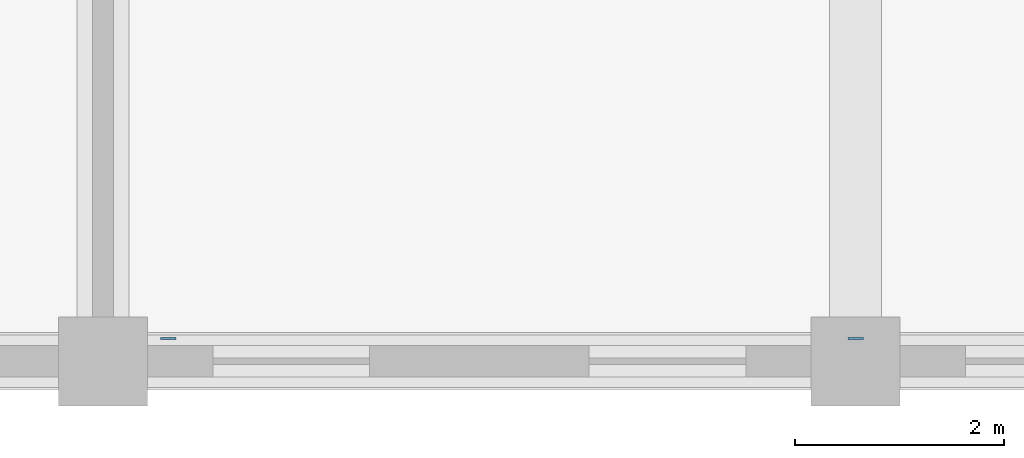
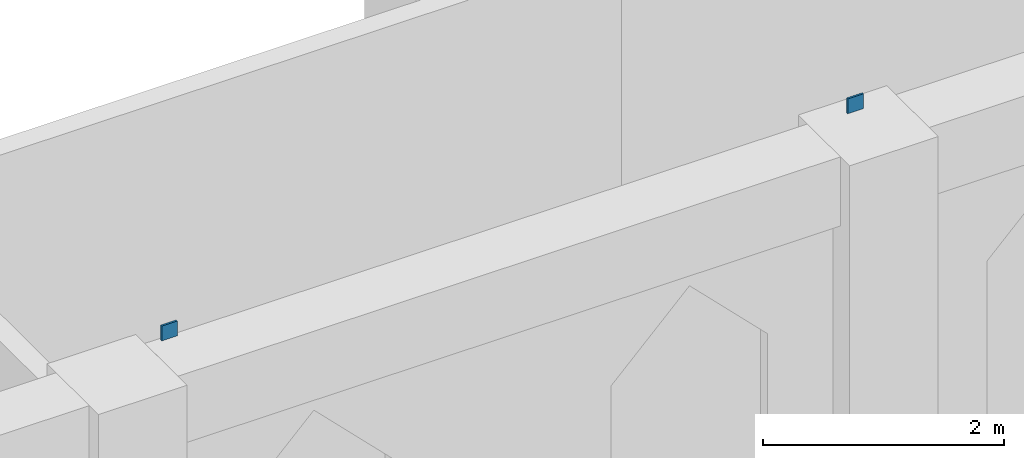
# One storey, part 38 of 48: 2 discrete accessories.
"""IFC4 building model written with IfcOpenShell, lengths in metres."""

from ifc_helpers import new_model, si_unit, direction, frame, origin, origin_2d, place, context, subcontext, project, spatial, rectangle, extrude, material, element, save


model = new_model("IFC4")

# Units and contexts
model_context = context("Model", 3, precision=1e-05, world=origin(), true_north=direction((0.0, 1.0)))
body_context = subcontext(model_context, "Body", "Model", "MODEL_VIEW")
ifc_project = project(units=[si_unit("LENGTHUNIT", "METRE"), si_unit("AREAUNIT", "SQUARE_METRE"), si_unit("VOLUMEUNIT", "CUBIC_METRE"), si_unit("PLANEANGLEUNIT", "RADIAN"), si_unit("MASSUNIT", "GRAM", prefix="KILO")], contexts=[model_context])

# Site, building, storey
site_placement = place(None, origin())
site = spatial("IfcSite", under=ifc_project, at=site_placement, CompositionType="ELEMENT")
building_placement = place(site_placement, origin())
building = spatial("IfcBuilding", under=site, at=building_placement, Name="Silangan Lancet Faculty of Sciences", CompositionType="ELEMENT")
storey_placement = place(building_placement, frame((0.0, 0.0, 6.0)))
storey = spatial("IfcBuildingStorey", under=building, at=storey_placement, Name="L01", CompositionType="ELEMENT", Elevation=6.0)

# Discrete accessories
ifc_material = material(Name="Steel STKR400", Category="steel")
for number, where, z_axis, x_axis, name in (
    (1, (51.02490234375, 0.219970703125, 5.420166015625), (0.0, 0.0, 1.0), (1.0, 0.0, 0.0), "Truss 4 bottom chord cap"),
    (2, (57.60009765625, 0.219970703125, 5.420166015625), (0.0, 0.0, 1.0), (1.0, 0.0, 0.0), "Truss 5 bottom chord cap"),
):
    element("IfcDiscreteAccessory", number, at=place(storey_placement, frame(where, z_axis=z_axis, x_axis=x_axis)), inside=storey, material=ifc_material, Name=name, ObjectType="END CAP", PredefinedType="USERDEFINED", context=body_context, shape_type="SweptSolid", body=[
        extrude(rectangle(XDim=0.14990234375, YDim=0.02001953125, at=origin_2d()), origin(), (0.0, 0.0, 1.0), 0.14990234375),
    ])

save(model, "model.ifc")
